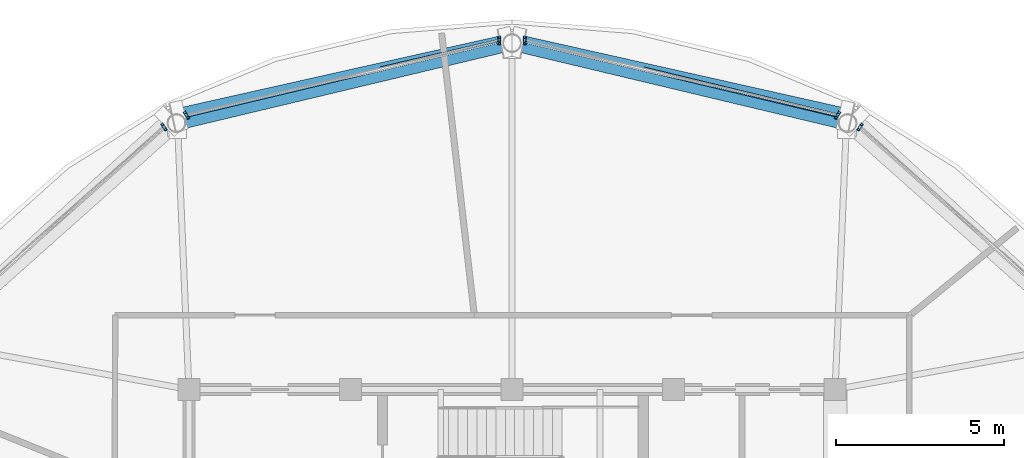
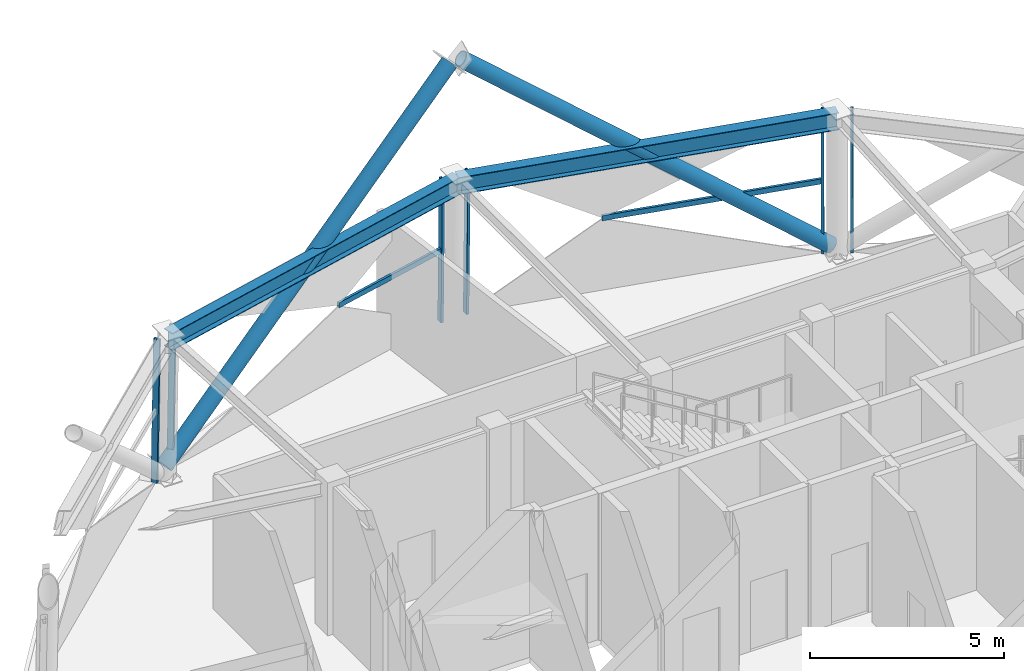
# One storey, part 5 of 14: 10 members, 2 beams, 4 elements without a shape of their own.
"""IFC4 building model written with IfcOpenShell, lengths in metres."""

import ifcopenshell
import ifcopenshell.guid

model = None  # the IFC model being written
_history = None  # IfcOwnerHistory: only IFC2X3 demands one
_inside = {}  # id of a spatial element -> (the spatial element, [elements in it])
_under = {}  # id of a project, library or spatial element -> (it, [spatial elements below it])
_declared = {}  # id of a project -> (the project, [libraries it declares])
_typed = {}  # id of a type object -> (the type object, [elements of that type])
_made_of = {}  # id of a material, layer set ... -> (it, [elements and type objects made of it])


def new_model(schema):
    """Start an empty IFC model of exactly this schema.

    Asked for "IFC4X3", IfcOpenShell would pick the latest addendum, in which some entities
    have other attributes; the version numbers below select the first issue.
    IFC2X3 requires an IfcOwnerHistory on every rooted entity: one is made here for all.
    """
    global model, _history
    if schema == "IFC4X3":
        model = ifcopenshell.file(schema_version=(4, 3, 0, 0))
    else:
        model = ifcopenshell.file(schema=schema)
    _inside.clear()
    _under.clear()
    _declared.clear()
    _typed.clear()
    _made_of.clear()
    _history = None
    if model.schema == "IFC2X3":
        org = make("IfcOrganization", Name="unknown")
        user = make(
            "IfcPersonAndOrganization",
            ThePerson=make("IfcPerson", FamilyName="unknown"),
            TheOrganization=org,
        )
        app = make(
            "IfcApplication",
            ApplicationDeveloper=org,
            Version="unknown",
            ApplicationFullName="unknown",
            ApplicationIdentifier="unknown",
        )
        _history = make(
            "IfcOwnerHistory",
            OwningUser=user,
            OwningApplication=app,
            ChangeAction="ADDED",
            CreationDate=0,
        )
    return model


def make(cls, **values):
    """One entity of the class cls with the attributes given. An attribute that is None is left unset."""
    return model.create_entity(
        cls, **{name: value for name, value in values.items() if value is not None}
    )


def rooted(cls, **values):
    """An entity with a GlobalId (a new one), such as an element, a storey or a relation."""
    return make(cls, GlobalId=ifcopenshell.guid.new(), OwnerHistory=_history, **values)


def si_unit(unit_type, name, prefix=None):
    """IfcSIUnit, for example si_unit("LENGTHUNIT", "METRE", prefix="MILLI")."""
    return make("IfcSIUnit", UnitType=unit_type, Prefix=prefix, Name=name)


def assignment(units):
    """IfcUnitAssignment: the units of a project."""
    return None if units is None else make("IfcUnitAssignment", Units=units)


def point(xyz):
    """IfcCartesianPoint."""
    return None if xyz is None else make("IfcCartesianPoint", Coordinates=xyz)


def direction(xyz):
    """IfcDirection."""
    return None if xyz is None else make("IfcDirection", DirectionRatios=xyz)


def frame(location, z_axis=None, x_axis=None):
    """IfcAxis2Placement3D, a coordinate frame: its origin and axes. An axis left out is left unset."""
    return make(
        "IfcAxis2Placement3D",
        Location=point(location),
        Axis=direction(z_axis),
        RefDirection=direction(x_axis),
    )


def frame_2d(location, x_axis=None):
    """IfcAxis2Placement2D, a coordinate frame in the plane: its origin and x axis."""
    return make(
        "IfcAxis2Placement2D", Location=point(location), RefDirection=direction(x_axis)
    )


def origin():
    """The frame at (0, 0, 0) with its axes left unset."""
    return frame((0.0, 0.0, 0.0))


def origin_2d():
    """The frame at (0, 0) in the plane with its x axis left unset."""
    return frame_2d((0.0, 0.0))


def place(relative_to, where):
    """IfcLocalPlacement: puts the frame where relative to a parent placement (None: the world)."""
    return make(
        "IfcLocalPlacement", PlacementRelTo=relative_to, RelativePlacement=where
    )


def context(
    kind, dimensions, precision=None, world=None, true_north=None, identifier=None
):
    """IfcGeometricRepresentationContext, for example the 3D "Model" context."""
    return make(
        "IfcGeometricRepresentationContext",
        ContextIdentifier=identifier,
        ContextType=kind,
        CoordinateSpaceDimension=dimensions,
        Precision=precision,
        WorldCoordinateSystem=world,
        TrueNorth=true_north,
    )


def subcontext(parent, identifier, kind, view, scale=None):
    """IfcGeometricRepresentationSubContext, for example "Body" below "Model"."""
    return make(
        "IfcGeometricRepresentationSubContext",
        ContextIdentifier=identifier,
        ContextType=kind,
        ParentContext=parent,
        TargetScale=scale,
        TargetView=view,
    )


def project(units=None, contexts=None):
    """IfcProject with its units and contexts."""
    return rooted(
        "IfcProject",
        Name="project",
        RepresentationContexts=contexts,
        UnitsInContext=assignment(units),
    )


def spatial(cls, under=None, at=None, **own):
    """A site, building, storey or space (cls), placed at a placement, below another one or the project."""
    s = rooted(cls, ObjectPlacement=at, **own)
    if under is not None:
        _under.setdefault(under.id(), (under, []))[1].append(s)
    return s


def profile(cls, at=None, kind="AREA", **sizes):
    """A parametric profile (cls). Its sizes go by their IFC names, for example OverallWidth=200.0."""
    return make(cls, ProfileType=kind, Position=at, **sizes)


def hollow_rectangle(**sizes):
    """IfcRectangleHollowProfileDef."""
    return profile("IfcRectangleHollowProfileDef", **sizes)


def hollow_circle(**sizes):
    """IfcCircleHollowProfileDef."""
    return profile("IfcCircleHollowProfileDef", **sizes)


def i_section(**sizes):
    """IfcIShapeProfileDef."""
    return profile("IfcIShapeProfileDef", **sizes)


def extrude(swept, where, along, depth):
    """IfcExtrudedAreaSolid: the profile swept, set in the frame where, extruded along a direction by depth."""
    return make(
        "IfcExtrudedAreaSolid",
        SweptArea=swept,
        Position=where,
        ExtrudedDirection=direction(along),
        Depth=depth,
    )


def shape(context_of_items, identifier, shape_type, items):
    """IfcShapeRepresentation: the items that make up one representation, for example the "Body"."""
    return make(
        "IfcShapeRepresentation",
        ContextOfItems=context_of_items,
        RepresentationIdentifier=identifier,
        RepresentationType=shape_type,
        Items=items,
    )


def material(Name=None, Category=None):
    """IfcMaterial."""
    return make("IfcMaterial", Name=Name, Category=Category)


def layer(
    of_material, thickness, ventilated=None, Name=None, Category=None, Priority=None
):
    """IfcMaterialLayer: one layer of a wall or slab, of a material (None: an air gap)."""
    return make(
        "IfcMaterialLayer",
        Material=of_material,
        LayerThickness=thickness,
        IsVentilated=ventilated,
        Name=Name,
        Category=Category,
        Priority=Priority,
    )


def layer_set(layers, Name=None):
    """IfcMaterialLayerSet."""
    return make("IfcMaterialLayerSet", MaterialLayers=layers, LayerSetName=Name)


def material_profile(
    of_material, cross_section, Name=None, Category=None, Priority=None
):
    """IfcMaterialProfile: a cross section and its material."""
    return make(
        "IfcMaterialProfile",
        Name=Name,
        Material=of_material,
        Profile=cross_section,
        Priority=Priority,
        Category=Category,
    )


def profile_set(profiles, Name=None, composite=None):
    """IfcMaterialProfileSet."""
    return make(
        "IfcMaterialProfileSet",
        Name=Name,
        MaterialProfiles=profiles,
        CompositeProfile=composite,
    )


def made_of(thing, what):
    """Note that an element or type object is made of a material, layer set ...; save() writes the relation."""
    if what is not None:
        _made_of.setdefault(what.id(), (what, []))[1].append(thing)
    return thing


def type_object(cls, material=None, **own):
    """A type object (cls), such as IfcWallType, which elements share."""
    return made_of(rooted(cls, **own), material)


def element(
    cls,
    number,
    at=None,
    inside=None,
    cuts=None,
    type_object=None,
    material=None,
    context=None,
    identifier="Body",
    shape_type=None,
    held_by="IfcProductDefinitionShape",
    body=None,
    shapes=None,
    **own,
):
    """One element of the class cls, such as IfcWall. Its Tag is "e" and its number.

    at: its placement. inside: the storey or other place that contains it. cuts: it is an
    opening in that element (IfcRelVoidsElement). A single representation is given by context,
    identifier, shape_type and body (its items); several are given by shapes. held_by: the class
    of the entity that holds the representations. save() writes the other relations.
    """
    e = rooted(cls, Tag="e%d" % number, ObjectPlacement=at, **own)
    if body is not None:
        shapes = [shape(context, identifier, shape_type, body)]
    if shapes is not None:
        e.Representation = make(held_by, Representations=shapes)
    if inside is not None:
        _inside.setdefault(inside.id(), (inside, []))[1].append(e)
    if cuts is not None:
        rooted(
            "IfcRelVoidsElement", RelatingBuildingElement=cuts, RelatedOpeningElement=e
        )
    if type_object is not None:
        _typed.setdefault(type_object.id(), (type_object, []))[1].append(e)
    return made_of(e, material)


def aggregate(whole, parts):
    """IfcRelAggregates: a whole, such as a stair, and the parts it consists of."""
    return rooted("IfcRelAggregates", RelatingObject=whole, RelatedObjects=parts)


def save(model, path):
    """Write the relations noted so far, then the file.

    IfcRelAggregates (storeys below a building ...), IfcRelContainedInSpatialStructure (elements
    in a storey), IfcRelDefinesByType, IfcRelAssociatesMaterial and IfcRelDeclares: one each for
    every whole, place, type object, material and project.
    """
    for whole, parts in _under.values():
        aggregate(whole, parts)
    for where, things in _inside.values():
        rooted(
            "IfcRelContainedInSpatialStructure",
            RelatedElements=things,
            RelatingStructure=where,
        )
    for kind, things in _typed.values():
        rooted("IfcRelDefinesByType", RelatedObjects=things, RelatingType=kind)
    for what, things in _made_of.values():
        rooted("IfcRelAssociatesMaterial", RelatedObjects=things, RelatingMaterial=what)
    for by, libraries in _declared.values():
        rooted("IfcRelDeclares", RelatingContext=by, RelatedDefinitions=libraries)
    model.write(path)


model = new_model("IFC4")

# Units and contexts
model_context = context("Model", 3, precision=1e-05, world=origin(), true_north=direction((0.0, 1.0)))
body_context = subcontext(model_context, "Body", "Model", "MODEL_VIEW")
ifc_project = project(units=[si_unit("LENGTHUNIT", "METRE"), si_unit("AREAUNIT", "SQUARE_METRE"), si_unit("VOLUMEUNIT", "CUBIC_METRE"), si_unit("PLANEANGLEUNIT", "RADIAN"), si_unit("MASSUNIT", "GRAM", prefix="KILO")], contexts=[model_context])

# Site, building, storey
site_placement = place(None, origin())
site = spatial("IfcSite", under=ifc_project, at=site_placement, CompositionType="ELEMENT")
building_placement = place(site_placement, origin())
building = spatial("IfcBuilding", under=site, at=building_placement, Name="Vantalir Tower", CompositionType="ELEMENT")
storey_placement = place(building_placement, frame((0.0, 0.0, 259.050048828125)))
storey = spatial("IfcBuildingStorey", under=building, at=storey_placement, Name="L65", CompositionType="ELEMENT", Elevation=259.050048828125)

# Beams
ifc_material_1 = material(Name="Steel S460", Category="steel")
ifc_material_profile_1 = material_profile(ifc_material_1, i_section(OverallWidth=0.31201171875, OverallDepth=0.5419921875, WebThickness=0.0126953125, FlangeThickness=0.020263671875, at=origin_2d()), Name="Steel S460")
ifc_profile_set_1 = profile_set([ifc_material_profile_1], Name="Steel S460")
beam_type = type_object("IfcBeamType", Name="BM-RG-533x312", PredefinedType="USERDEFINED", material=ifc_profile_set_1)
for number, where, z_axis, x_axis, name in (
    (1, (41.43505859375, 40.31298828125, 4.348876953125), (-0.972731016062, 0.231936134291, 0.0), (-0.231936134291, -0.972731016062, 0.0), "L65 Circumferential Ring Girder 03"),
    (2, (31.5, 42.681884765625, 4.348876953125), (-0.972731016062, -0.231936134291, 0.0), (0.231936134291, -0.972731016062, 0.0), "L65 Circumferential Ring Girder 04"),
):
    element("IfcBeam", number, at=place(storey_placement, frame(where, z_axis=z_axis, x_axis=x_axis)), inside=storey, type_object=beam_type, Name=name, ObjectType="GIRDER", PredefinedType="USERDEFINED", context=body_context, shape_type="SweptSolid", body=[
        extrude(i_section(OverallWidth=0.31201171875, OverallDepth=0.5419921875, WebThickness=0.0126953125, FlangeThickness=0.020263671875, at=origin_2d()), origin(), (0.0, 0.0, 1.0), 10.213623046875),
    ])

# Curtain wall, member
ifc_material_2 = material(Name="Champagne-silver PVDF aluminium and double-silver Low-E glass", Category="aluminium")
ifc_layer = layer(ifc_material_2, 0.22998046875)
ifc_layer_set = layer_set([ifc_layer], Name="Champagne-silver PVDF aluminium and double-silver Low-E glass")
curtain_wall_type = type_object("IfcCurtainWallType", Name="CW-SKYLOBBY", PredefinedType="USERDEFINED", material=ifc_layer_set)
curtain_wall_1_placement = place(storey_placement, origin())
curtain_wall_1 = element("IfcCurtainWall", 3, at=curtain_wall_1_placement, inside=storey, type_object=curtain_wall_type, Name="L65 Quilted Pyramid-Diamond Curtain Wall S02", ObjectType="UNITISED CURTAIN WALL", PredefinedType="USERDEFINED")
ifc_material_3 = material(Name="Champagne-silver PVDF aluminium 6063-T6", Category="aluminium")
ifc_material_profile_2 = material_profile(ifc_material_3, hollow_rectangle(XDim=0.074951171875, YDim=0.179931640625, WallThickness=0.00390625, at=origin_2d()), Name="Champagne-silver PVDF aluminium 6063-T6")
ifc_profile_set_2 = profile_set([ifc_material_profile_2], Name="Champagne-silver PVDF aluminium 6063-T6")
member_type_1 = type_object("IfcMemberType", Name="CWM-180x75", PredefinedType="MULLION", material=ifc_profile_set_2)
member_1_placement = place(storey_placement, frame((41.861083984375, 40.281005859375, 0.044921875), z_axis=(-0.008837414847, -0.013687215678, 0.999867271304), x_axis=(0.840102178973, -0.54242817855, 0.0)))
member_1 = element("IfcMember", 4, at=member_1_placement, type_object=member_type_1, Name="CW-L65-S02 Mullion 2", PredefinedType="MULLION", context=body_context, shape_type="SweptSolid", body=[
    extrude(hollow_rectangle(XDim=0.074951171875, YDim=0.179931640625, WallThickness=0.00390625, at=origin_2d()), origin(), (0.0, 0.0, 1.0), 4.530517578125),
])
aggregate(curtain_wall_1, [member_1])

# Curtain wall, members
curtain_wall_2_placement = place(storey_placement, origin())
curtain_wall_2 = element("IfcCurtainWall", 5, at=curtain_wall_2_placement, inside=storey, type_object=curtain_wall_type, Name="L65 Quilted Pyramid-Diamond Curtain Wall S03", ObjectType="UNITISED CURTAIN WALL", PredefinedType="USERDEFINED")
member_2_placement = place(storey_placement, frame((41.19091796875, 40.631103515625, 0.044921875), z_axis=(-0.008837414847, -0.013687215678, 0.999867271304), x_axis=(0.840102178973, -0.54242817855, 0.0)))
member_2 = element("IfcMember", 6, at=member_2_placement, type_object=member_type_1, Name="CW-L65-S03 Mullion 1", PredefinedType="MULLION", context=body_context, shape_type="SweptSolid", body=[
    extrude(hollow_rectangle(XDim=0.074951171875, YDim=0.179931640625, WallThickness=0.00390625, at=origin_2d()), origin(), (0.0, 0.0, 1.0), 4.530517578125),
])
member_3_placement = place(storey_placement, frame((31.87890625, 42.85302734375, 0.044921875), z_axis=(0.0, -0.015896670643, 0.999873639948), x_axis=(1.0, 0.0, 0.0)))
member_3 = element("IfcMember", 7, at=member_3_placement, type_object=member_type_1, Name="CW-L65-S03 Mullion 2", PredefinedType="MULLION", context=body_context, shape_type="SweptSolid", body=[
    extrude(hollow_rectangle(XDim=0.074951171875, YDim=0.179931640625, WallThickness=0.00390625, at=origin_2d()), origin(), (0.0, 0.0, 1.0), 4.530517578125),
])

curtain_wall_3_placement = place(storey_placement, origin())
curtain_wall_3 = element("IfcCurtainWall", 8, at=curtain_wall_3_placement, inside=storey, type_object=curtain_wall_type, Name="L65 Quilted Pyramid-Diamond Curtain Wall S04", ObjectType="UNITISED CURTAIN WALL", PredefinedType="USERDEFINED")
member_4_placement = place(storey_placement, frame((31.12109375, 42.85302734375, 0.044921875), z_axis=(0.0, -0.015896670643, 0.999873639948), x_axis=(1.0, 0.0, 0.0)))
member_4 = element("IfcMember", 9, at=member_4_placement, type_object=member_type_1, Name="CW-L65-S04 Mullion 1", PredefinedType="MULLION", context=body_context, shape_type="SweptSolid", body=[
    extrude(hollow_rectangle(XDim=0.074951171875, YDim=0.179931640625, WallThickness=0.00390625, at=origin_2d()), origin(), (0.0, 0.0, 1.0), 4.530517578125),
])
member_5_placement = place(storey_placement, frame((21.80908203125, 40.631103515625, 0.044921875), z_axis=(0.008837414847, -0.013687215678, 0.999867271304), x_axis=(0.840102178973, 0.54242817855, 0.0)))
member_5 = element("IfcMember", 10, at=member_5_placement, type_object=member_type_1, Name="CW-L65-S04 Mullion 2", PredefinedType="MULLION", context=body_context, shape_type="SweptSolid", body=[
    extrude(hollow_rectangle(XDim=0.074951171875, YDim=0.179931640625, WallThickness=0.00390625, at=origin_2d()), origin(), (0.0, 0.0, 1.0), 4.530517578125),
])

# Curtain wall, member
curtain_wall_4_placement = place(storey_placement, origin())
curtain_wall_4 = element("IfcCurtainWall", 11, at=curtain_wall_4_placement, inside=storey, type_object=curtain_wall_type, Name="L65 Quilted Pyramid-Diamond Curtain Wall S05", ObjectType="UNITISED CURTAIN WALL", PredefinedType="USERDEFINED")
member_6_placement = place(storey_placement, frame((21.138916015625, 40.281005859375, 0.044921875), z_axis=(0.008837414847, -0.013687215678, 0.999867271304), x_axis=(0.840102178973, 0.54242817855, 0.0)))
member_6 = element("IfcMember", 12, at=member_6_placement, type_object=member_type_1, Name="CW-L65-S05 Mullion 1", PredefinedType="MULLION", context=body_context, shape_type="SweptSolid", body=[
    extrude(hollow_rectangle(XDim=0.074951171875, YDim=0.179931640625, WallThickness=0.00390625, at=origin_2d()), origin(), (0.0, 0.0, 1.0), 4.530517578125),
])
aggregate(curtain_wall_4, [member_6])

# Member
ifc_material_profile_3 = material_profile(ifc_material_3, hollow_rectangle(XDim=0.074951171875, YDim=0.159912109375, WallThickness=0.00390625, at=origin_2d()), Name="Champagne-silver PVDF aluminium 6063-T6")
ifc_profile_set_3 = profile_set([ifc_material_profile_3], Name="Champagne-silver PVDF aluminium 6063-T6")
member_type_2 = type_object("IfcMemberType", Name="CWT-160x75", PredefinedType="USERDEFINED", material=ifc_profile_set_3)
member_7_placement = place(storey_placement, frame((41.1708984375, 40.60009765625, 2.31005859375), z_axis=(-0.971749922811, 0.23601289693, 0.0), x_axis=(-0.23601289693, -0.971749922811, 0.0)))
member_7 = element("IfcMember", 13, at=member_7_placement, type_object=member_type_2, Name="CW-L65-S03 Pyramid Fold Ridge Transom", ObjectType="TRANSOM", PredefinedType="USERDEFINED", context=body_context, shape_type="SweptSolid", body=[
    extrude(hollow_rectangle(XDim=0.074951171875, YDim=0.159912109375, WallThickness=0.00390625, at=origin_2d()), origin(), (0.0, 0.0, 1.0), 5.923095703125),
])

aggregate(curtain_wall_2, [member_2, member_3, member_7])

member_8_placement = place(storey_placement, frame((31.12109375, 42.81689453125, 2.31005859375), z_axis=(-0.974220873036, -0.225596299928, 0.0), x_axis=(0.225596299928, -0.974220873036, 0.0)))
member_8 = element("IfcMember", 14, at=member_8_placement, type_object=member_type_2, Name="CW-L65-S04 Pyramid Fold Ridge Transom", ObjectType="TRANSOM", PredefinedType="USERDEFINED", context=body_context, shape_type="SweptSolid", body=[
    extrude(hollow_rectangle(XDim=0.074951171875, YDim=0.159912109375, WallThickness=0.00390625, at=origin_2d()), origin(), (0.0, 0.0, 1.0), 3.629638671875),
])

aggregate(curtain_wall_3, [member_4, member_5, member_8])

# Members
ifc_material_profile_4 = material_profile(ifc_material_1, hollow_circle(Radius=0.22998046875, WallThickness=0.028076171875, at=origin_2d()), Name="Steel S460")
ifc_profile_set_4 = profile_set([ifc_material_profile_4], Name="Steel S460")
member_type_3 = type_object("IfcMemberType", Name="MEM-DB-460x28", PredefinedType="BRACE", material=ifc_profile_set_4)
for number, where, z_axis, x_axis, name in (
    (15, (41.402099609375, 40.577880859375, 0.217041015625), (-0.763597326777, 0.171407691672, 0.622525923777), (-0.219023602856, -0.975719560833, 0.0), "L65 Perimeter S460 Diagrid Brace R07L"),
    (16, (21.597900390625, 40.577880859375, 0.217041015625), (0.763597326777, 0.171407691672, 0.622525923777), (-0.219023602856, 0.975719560833, 0.0), "L65 Perimeter S460 Diagrid Brace R13R"),
):
    element("IfcMember", number, at=place(storey_placement, frame(where, z_axis=z_axis, x_axis=x_axis)), inside=storey, type_object=member_type_3, Name=name, PredefinedType="BRACE", context=body_context, shape_type="SweptSolid", body=[
        extrude(hollow_circle(Radius=0.22998046875, WallThickness=0.028076171875, at=origin_2d()), origin(), (0.0, 0.0, 1.0), 12.747802734375),
    ])

save(model, "model.ifc")
